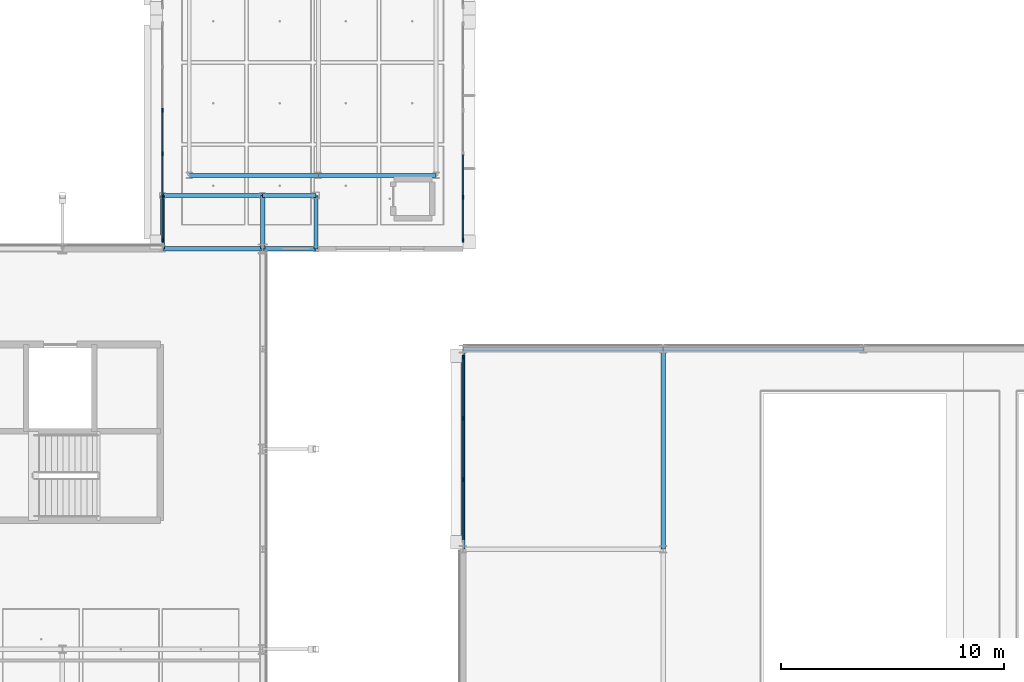
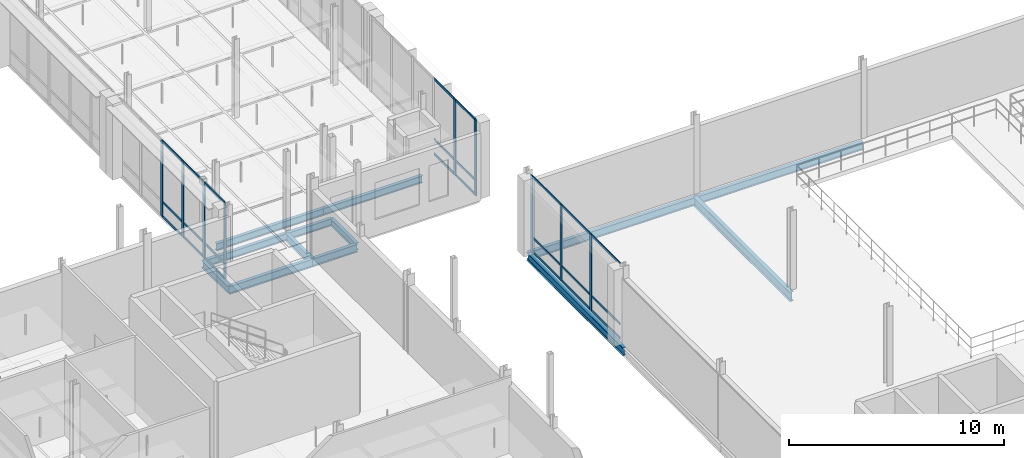
# One storey, part 29 of 130: 33 members, 13 beams, 3 elements without a shape of their own.
"""IFC4 building model written with IfcOpenShell, lengths in metres."""

from ifc_helpers import new_model, si_unit, direction, frame, origin, origin_2d, place, context, subcontext, project, spatial, rectangle, i_section, extrude, material, material_profile, profile_set, type_object, element, aggregate, save


model = new_model("IFC4")

# Units and contexts
model_context = context("Model", 3, precision=1e-05, world=origin(), true_north=direction((0.0, 1.0)))
body_context = subcontext(model_context, "Body", "Model", "MODEL_VIEW")
ifc_project = project(units=[si_unit("LENGTHUNIT", "METRE"), si_unit("AREAUNIT", "SQUARE_METRE"), si_unit("VOLUMEUNIT", "CUBIC_METRE"), si_unit("PLANEANGLEUNIT", "RADIAN"), si_unit("MASSUNIT", "GRAM", prefix="KILO"), si_unit("THERMODYNAMICTEMPERATUREUNIT", "KELVIN"), si_unit("POWERUNIT", "WATT")], contexts=[model_context])

# Site, building, storey
site_placement = place(None, origin())
site = spatial("IfcSite", under=ifc_project, at=site_placement, CompositionType="ELEMENT")
building_placement = place(site_placement, origin())
building = spatial("IfcBuilding", under=site, at=building_placement, Name="Tallowbark Science Centre", CompositionType="ELEMENT")
storey_placement = place(building_placement, frame((0.0, 0.0, 5.39990234375)))
storey = spatial("IfcBuildingStorey", under=building, at=storey_placement, Name="L01", CompositionType="ELEMENT", Elevation=5.39990234375)

# Beams
ifc_material_1 = material(Name="Structural Steel Grade 300PLUS (300 MPa)", Category="steel")
ifc_material_profile_1 = material_profile(ifc_material_1, i_section(OverallWidth=0.177734375, OverallDepth=0.406494140625, WebThickness=0.0078125, FlangeThickness=0.0126953125, FilletRadius=0.011474609375, at=origin_2d()), Name="410UB59.7")
ifc_profile_set_1 = profile_set([ifc_material_profile_1], Name="Structural Steel Grade 300PLUS (300 MPa)")
beam_type_1 = type_object("IfcBeamType", Name="BM-UB410", PredefinedType="BEAM", material=ifc_profile_set_1)
beam_1_placement = place(storey_placement, frame((99.0, 42.89990234375, -0.383056640625), z_axis=(1.0, 0.0, 0.0), x_axis=(0.0, 1.0, 0.0)))
element("IfcBeam", 1, at=beam_1_placement, inside=storey, type_object=beam_type_1, Name="Primary Girder GRDX-L01-990-1035-429", PredefinedType="BEAM", context=body_context, shape_type="SweptSolid", body=[
    extrude(i_section(OverallWidth=0.177734375, OverallDepth=0.406494140625, WebThickness=0.0078125, FlangeThickness=0.0126953125, FilletRadius=0.011474609375, at=origin_2d()), origin(), (0.0, 0.0, 1.0), 4.5),
])
beam_2_placement = place(storey_placement, frame((103.5, 42.89990234375, -0.383056640625), z_axis=(1.0, 0.0, 0.0), x_axis=(0.0, 1.0, 0.0)))
element("IfcBeam", 2, at=beam_2_placement, inside=storey, type_object=beam_type_1, Name="Primary Girder GRDX-L01-1035-1059-429", PredefinedType="BEAM", context=body_context, shape_type="SweptSolid", body=[
    extrude(i_section(OverallWidth=0.177734375, OverallDepth=0.406494140625, WebThickness=0.0078125, FlangeThickness=0.0126953125, FilletRadius=0.011474609375, at=origin_2d()), origin(), (0.0, 0.0, 1.0), 2.39990234375),
])
beam_3_placement = place(storey_placement, frame((100.199951171875, 43.800048828125, -0.383056640625), z_axis=(1.0, 0.0, 0.0), x_axis=(0.0, 1.0, 0.0)))
element("IfcBeam", 3, at=beam_3_placement, inside=storey, type_object=beam_type_1, Name="Primary Girder GRDX-L01-1002-1060-438", PredefinedType="BEAM", context=body_context, shape_type="SweptSolid", body=[
    extrude(i_section(OverallWidth=0.177734375, OverallDepth=0.406494140625, WebThickness=0.0078125, FlangeThickness=0.0126953125, FilletRadius=0.011474609375, at=origin_2d()), origin(), (0.0, 0.0, 1.0), 5.800048828125),
])
beam_4_placement = place(storey_placement, frame((106.0, 43.800048828125, -0.383056640625), z_axis=(1.0, 0.0, 0.0), x_axis=(0.0, 1.0, 0.0)))
element("IfcBeam", 4, at=beam_4_placement, inside=storey, type_object=beam_type_1, Name="Primary Girder GRDX-L01-1060-1113-438", PredefinedType="BEAM", context=body_context, shape_type="SweptSolid", body=[
    extrude(i_section(OverallWidth=0.177734375, OverallDepth=0.406494140625, WebThickness=0.0078125, FlangeThickness=0.0126953125, FilletRadius=0.011474609375, at=origin_2d()), origin(), (0.0, 0.0, 1.0), 5.300048828125),
])
for number, where, z_axis, x_axis, name in (
    (5, (99.0, 40.5, -0.383056640625), (0.0, 1.0, 0.0), (-1.0, 0.0, 0.0), "Primary Girder GRDY-L01-990-405-429"),
    (6, (105.89990234375, 40.5, -0.383056640625), (0.0, 1.0, 0.0), (-1.0, 0.0, 0.0), "Primary Girder GRDY-L01-1059-405-429"),
):
    element("IfcBeam", number, at=place(storey_placement, frame(where, z_axis=z_axis, x_axis=x_axis)), inside=storey, type_object=beam_type_1, Name=name, PredefinedType="BEAM", context=body_context, shape_type="SweptSolid", body=[
        extrude(i_section(OverallWidth=0.177734375, OverallDepth=0.406494140625, WebThickness=0.0078125, FlangeThickness=0.0126953125, FilletRadius=0.011474609375, at=origin_2d()), origin(), (0.0, 0.0, 1.0), 2.39990234375),
    ])
ifc_material_profile_2 = material_profile(ifc_material_1, i_section(OverallWidth=0.208740234375, OverallDepth=0.5283203125, WebThickness=0.009521484375, FlangeThickness=0.01318359375, FilletRadius=0.013916015625, at=origin_2d()), Name="530UB82.0")
ifc_profile_set_2 = profile_set([ifc_material_profile_2], Name="Structural Steel Grade 300PLUS (300 MPa)")
beam_type_2 = type_object("IfcBeamType", Name="BM-UB530B", PredefinedType="BEAM", material=ifc_profile_set_2)
beam_5_placement = place(storey_placement, frame((121.5, 27.0, -0.509033203125), z_axis=(0.0, 1.0, 0.0), x_axis=(-1.0, 0.0, 0.0)))
element("IfcBeam", 7, at=beam_5_placement, inside=storey, type_object=beam_type_2, Name="Primary Girder GRDY-L01-1215-270-360", PredefinedType="BEAM", context=body_context, shape_type="SweptSolid", body=[
    extrude(i_section(OverallWidth=0.208740234375, OverallDepth=0.5283203125, WebThickness=0.009521484375, FlangeThickness=0.01318359375, FilletRadius=0.013916015625, at=origin_2d()), origin(), (0.0, 0.0, 1.0), 9.0),
])

# Curtain wall, members
ifc_material_2 = material(Name="Unitised Thermally Broken Aluminium and Low-E Double Glazing", Category="aluminium")
curtain_wall_type = type_object("IfcCurtainWallType", Name="CW-SYS-FACADE", PredefinedType="NOTDEFINED", material=ifc_material_2)
curtain_wall_1_placement = place(storey_placement, origin())
curtain_wall_1 = element("IfcCurtainWall", 8, at=curtain_wall_1_placement, inside=storey, type_object=curtain_wall_type, Name="Unitised Curtain Wall THT-W-3 CW-L01-005", PredefinedType="NOTDEFINED")
ifc_material_3 = material(Name="Anodised Architectural Aluminium Alloy 6063-T6", Category="aluminium")
ifc_material_profile_3 = material_profile(ifc_material_3, rectangle(XDim=0.06494140625, YDim=0.179931640625, at=origin_2d()), Name="ALU65x180")
ifc_profile_set_3 = profile_set([ifc_material_profile_3], Name="Anodised Architectural Aluminium Alloy 6063-T6")
member_type_1 = type_object("IfcMemberType", Name="CWM-MUL-220", PredefinedType="MULLION", material=ifc_profile_set_3)
member_1_placement = place(storey_placement, frame((112.5, 35.617431640625, 0.0), z_axis=(0.0, 0.0, 1.0), x_axis=(1.0, 0.0, 0.0)))
member_1 = element("IfcMember", 9, at=member_1_placement, type_object=member_type_1, Name="CW-01 mullion 1", PredefinedType="MULLION", context=body_context, shape_type="SweptSolid", body=[
    extrude(rectangle(XDim=0.06494140625, YDim=0.179931640625, at=origin_2d()), origin(), (0.0, 0.0, 1.0), 4.320068359375),
])
member_2_placement = place(storey_placement, frame((112.5, 32.88330078125, 0.0), z_axis=(0.0, 0.0, 1.0), x_axis=(1.0, 0.0, 0.0)))
member_2 = element("IfcMember", 10, at=member_2_placement, type_object=member_type_1, Name="CW-01 mullion 2", PredefinedType="MULLION", context=body_context, shape_type="SweptSolid", body=[
    extrude(rectangle(XDim=0.06494140625, YDim=0.179931640625, at=origin_2d()), origin(), (0.0, 0.0, 1.0), 4.320068359375),
])
member_3_placement = place(storey_placement, frame((112.5, 30.11669921875, 0.0), z_axis=(0.0, 0.0, 1.0), x_axis=(1.0, 0.0, 0.0)))
member_3 = element("IfcMember", 11, at=member_3_placement, type_object=member_type_1, Name="CW-01 mullion 3", PredefinedType="MULLION", context=body_context, shape_type="SweptSolid", body=[
    extrude(rectangle(XDim=0.06494140625, YDim=0.179931640625, at=origin_2d()), origin(), (0.0, 0.0, 1.0), 4.320068359375),
])

curtain_wall_2_placement = place(storey_placement, origin())
curtain_wall_2 = element("IfcCurtainWall", 12, at=curtain_wall_2_placement, inside=storey, type_object=curtain_wall_type, Name="Unitised Curtain Wall LNK-W-0 CW-L01-010", PredefinedType="NOTDEFINED")
member_4_placement = place(storey_placement, frame((99.0, 46.72998046875, 0.0), z_axis=(0.0, 0.0, 1.0), x_axis=(1.0, 0.0, 0.0)))
member_4 = element("IfcMember", 13, at=member_4_placement, type_object=member_type_1, Name="CW-01 mullion 3", PredefinedType="MULLION", context=body_context, shape_type="SweptSolid", body=[
    extrude(rectangle(XDim=0.06494140625, YDim=0.179931640625, at=origin_2d()), origin(), (0.0, 0.0, 1.0), 4.320068359375),
])
member_5_placement = place(storey_placement, frame((99.0, 44.77001953125, 0.0), z_axis=(0.0, 0.0, 1.0), x_axis=(1.0, 0.0, 0.0)))
member_5 = element("IfcMember", 14, at=member_5_placement, type_object=member_type_1, Name="CW-01 mullion 4", PredefinedType="MULLION", context=body_context, shape_type="SweptSolid", body=[
    extrude(rectangle(XDim=0.06494140625, YDim=0.179931640625, at=origin_2d()), origin(), (0.0, 0.0, 1.0), 4.320068359375),
])
member_6_placement = place(storey_placement, frame((99.0, 42.81005859375, 0.0), z_axis=(0.0, 0.0, 1.0), x_axis=(1.0, 0.0, 0.0)))
member_6 = element("IfcMember", 15, at=member_6_placement, type_object=member_type_1, Name="CW-01 mullion 5", PredefinedType="MULLION", context=body_context, shape_type="SweptSolid", body=[
    extrude(rectangle(XDim=0.06494140625, YDim=0.179931640625, at=origin_2d()), origin(), (0.0, 0.0, 1.0), 4.320068359375),
])
member_7_placement = place(storey_placement, frame((99.0, 40.882568359375, 0.0), z_axis=(0.0, 0.0, 1.0), x_axis=(1.0, 0.0, 0.0)))
member_7 = element("IfcMember", 16, at=member_7_placement, type_object=member_type_1, Name="CW-01 mullion 6", PredefinedType="MULLION", context=body_context, shape_type="SweptSolid", body=[
    extrude(rectangle(XDim=0.06494140625, YDim=0.179931640625, at=origin_2d()), origin(), (0.0, 0.0, 1.0), 4.320068359375),
])

curtain_wall_3_placement = place(storey_placement, origin())
curtain_wall_3 = element("IfcCurtainWall", 17, at=curtain_wall_3_placement, inside=storey, type_object=curtain_wall_type, Name="Unitised Curtain Wall LNK-E-0 CW-L01-011", PredefinedType="NOTDEFINED")
member_8_placement = place(storey_placement, frame((112.5, 40.882568359375, 0.0), z_axis=(0.0, 0.0, 1.0), x_axis=(-1.0, 0.0, 0.0)))
member_8 = element("IfcMember", 18, at=member_8_placement, type_object=member_type_1, Name="CW-01 mullion 1", PredefinedType="MULLION", context=body_context, shape_type="SweptSolid", body=[
    extrude(rectangle(XDim=0.06494140625, YDim=0.179931640625, at=origin_2d()), origin(), (0.0, 0.0, 1.0), 4.320068359375),
])
member_9_placement = place(storey_placement, frame((112.5, 42.81005859375, 0.0), z_axis=(0.0, 0.0, 1.0), x_axis=(-1.0, 0.0, 0.0)))
member_9 = element("IfcMember", 19, at=member_9_placement, type_object=member_type_1, Name="CW-01 mullion 2", PredefinedType="MULLION", context=body_context, shape_type="SweptSolid", body=[
    extrude(rectangle(XDim=0.06494140625, YDim=0.179931640625, at=origin_2d()), origin(), (0.0, 0.0, 1.0), 4.320068359375),
])

# Member
ifc_material_profile_4 = material_profile(ifc_material_3, rectangle(XDim=0.054931640625, YDim=0.1201171875, at=origin_2d()), Name="ALU55x120")
ifc_profile_set_4 = profile_set([ifc_material_profile_4], Name="Anodised Architectural Aluminium Alloy 6063-T6")
member_type_2 = type_object("IfcMemberType", Name="CWM-TRN-150", PredefinedType="USERDEFINED", material=ifc_profile_set_4)
member_10_placement = place(storey_placement, frame((112.5, 35.5849609375, 0.027587890625), z_axis=(0.0, -1.0, 0.0), x_axis=(1.0, 0.0, 0.0)))
member_10 = element("IfcMember", 20, at=member_10_placement, type_object=member_type_2, Name="CW-01 transom 1.1", ObjectType="TRANSOM", PredefinedType="USERDEFINED", context=body_context, shape_type="SweptSolid", body=[
    extrude(rectangle(XDim=0.054931640625, YDim=0.1201171875, at=origin_2d()), origin(), (0.0, 0.0, 1.0), 2.669189453125),
])

member_11_placement = place(storey_placement, frame((112.5, 35.5849609375, 0.85009765625), z_axis=(0.0, -1.0, 0.0), x_axis=(1.0, 0.0, 0.0)))
member_11 = element("IfcMember", 21, at=member_11_placement, type_object=member_type_2, Name="CW-01 transom 1.2", ObjectType="TRANSOM", PredefinedType="USERDEFINED", context=body_context, shape_type="SweptSolid", body=[
    extrude(rectangle(XDim=0.054931640625, YDim=0.1201171875, at=origin_2d()), origin(), (0.0, 0.0, 1.0), 2.669189453125),
])

member_12_placement = place(storey_placement, frame((112.5, 35.5849609375, 4.29248046875), z_axis=(0.0, -1.0, 0.0), x_axis=(1.0, 0.0, 0.0)))
member_12 = element("IfcMember", 22, at=member_12_placement, type_object=member_type_2, Name="CW-01 transom 1.3", ObjectType="TRANSOM", PredefinedType="USERDEFINED", context=body_context, shape_type="SweptSolid", body=[
    extrude(rectangle(XDim=0.054931640625, YDim=0.1201171875, at=origin_2d()), origin(), (0.0, 0.0, 1.0), 2.669189453125),
])

member_13_placement = place(storey_placement, frame((112.5, 32.850830078125, 0.027587890625), z_axis=(0.0, -1.0, 0.0), x_axis=(1.0, 0.0, 0.0)))
member_13 = element("IfcMember", 23, at=member_13_placement, type_object=member_type_2, Name="CW-01 transom 2.1", ObjectType="TRANSOM", PredefinedType="USERDEFINED", context=body_context, shape_type="SweptSolid", body=[
    extrude(rectangle(XDim=0.054931640625, YDim=0.1201171875, at=origin_2d()), origin(), (0.0, 0.0, 1.0), 2.70166015625),
])

member_14_placement = place(storey_placement, frame((112.5, 32.850830078125, 0.85009765625), z_axis=(0.0, -1.0, 0.0), x_axis=(1.0, 0.0, 0.0)))
member_14 = element("IfcMember", 24, at=member_14_placement, type_object=member_type_2, Name="CW-01 transom 2.2", ObjectType="TRANSOM", PredefinedType="USERDEFINED", context=body_context, shape_type="SweptSolid", body=[
    extrude(rectangle(XDim=0.054931640625, YDim=0.1201171875, at=origin_2d()), origin(), (0.0, 0.0, 1.0), 2.70166015625),
])

member_15_placement = place(storey_placement, frame((112.5, 32.850830078125, 4.29248046875), z_axis=(0.0, -1.0, 0.0), x_axis=(1.0, 0.0, 0.0)))
member_15 = element("IfcMember", 25, at=member_15_placement, type_object=member_type_2, Name="CW-01 transom 2.3", ObjectType="TRANSOM", PredefinedType="USERDEFINED", context=body_context, shape_type="SweptSolid", body=[
    extrude(rectangle(XDim=0.054931640625, YDim=0.1201171875, at=origin_2d()), origin(), (0.0, 0.0, 1.0), 2.70166015625),
])

member_16_placement = place(storey_placement, frame((112.5, 30.084228515625, 0.027587890625), z_axis=(0.0, -1.0, 0.0), x_axis=(1.0, 0.0, 0.0)))
member_16 = element("IfcMember", 26, at=member_16_placement, type_object=member_type_2, Name="CW-01 transom 3.1", ObjectType="TRANSOM", PredefinedType="USERDEFINED", context=body_context, shape_type="SweptSolid", body=[
    extrude(rectangle(XDim=0.054931640625, YDim=0.1201171875, at=origin_2d()), origin(), (0.0, 0.0, 1.0), 2.669189453125),
])

member_17_placement = place(storey_placement, frame((112.5, 30.084228515625, 0.85009765625), z_axis=(0.0, -1.0, 0.0), x_axis=(1.0, 0.0, 0.0)))
member_17 = element("IfcMember", 27, at=member_17_placement, type_object=member_type_2, Name="CW-01 transom 3.2", ObjectType="TRANSOM", PredefinedType="USERDEFINED", context=body_context, shape_type="SweptSolid", body=[
    extrude(rectangle(XDim=0.054931640625, YDim=0.1201171875, at=origin_2d()), origin(), (0.0, 0.0, 1.0), 2.669189453125),
])

member_18_placement = place(storey_placement, frame((112.5, 30.084228515625, 4.29248046875), z_axis=(0.0, -1.0, 0.0), x_axis=(1.0, 0.0, 0.0)))
member_18 = element("IfcMember", 28, at=member_18_placement, type_object=member_type_2, Name="CW-01 transom 3.3", ObjectType="TRANSOM", PredefinedType="USERDEFINED", context=body_context, shape_type="SweptSolid", body=[
    extrude(rectangle(XDim=0.054931640625, YDim=0.1201171875, at=origin_2d()), origin(), (0.0, 0.0, 1.0), 2.669189453125),
])

aggregate(curtain_wall_1, [member_1, member_2, member_3, member_10, member_11, member_12, member_13, member_14, member_15, member_16, member_17, member_18])

member_19_placement = place(storey_placement, frame((99.0, 46.697509765625, 0.027587890625), z_axis=(0.0, -1.0, 0.0), x_axis=(1.0, 0.0, 0.0)))
member_19 = element("IfcMember", 29, at=member_19_placement, type_object=member_type_2, Name="CW-01 transom 3.1", ObjectType="TRANSOM", PredefinedType="USERDEFINED", context=body_context, shape_type="SweptSolid", body=[
    extrude(rectangle(XDim=0.054931640625, YDim=0.1201171875, at=origin_2d()), origin(), (0.0, 0.0, 1.0), 1.89501953125),
])

member_20_placement = place(storey_placement, frame((99.0, 46.697509765625, 0.85009765625), z_axis=(0.0, -1.0, 0.0), x_axis=(1.0, 0.0, 0.0)))
member_20 = element("IfcMember", 30, at=member_20_placement, type_object=member_type_2, Name="CW-01 transom 3.2", ObjectType="TRANSOM", PredefinedType="USERDEFINED", context=body_context, shape_type="SweptSolid", body=[
    extrude(rectangle(XDim=0.054931640625, YDim=0.1201171875, at=origin_2d()), origin(), (0.0, 0.0, 1.0), 1.89501953125),
])

member_21_placement = place(storey_placement, frame((99.0, 46.697509765625, 4.29248046875), z_axis=(0.0, -1.0, 0.0), x_axis=(1.0, 0.0, 0.0)))
member_21 = element("IfcMember", 31, at=member_21_placement, type_object=member_type_2, Name="CW-01 transom 3.3", ObjectType="TRANSOM", PredefinedType="USERDEFINED", context=body_context, shape_type="SweptSolid", body=[
    extrude(rectangle(XDim=0.054931640625, YDim=0.1201171875, at=origin_2d()), origin(), (0.0, 0.0, 1.0), 1.89501953125),
])

member_22_placement = place(storey_placement, frame((99.0, 44.737548828125, 0.027587890625), z_axis=(0.0, -1.0, 0.0), x_axis=(1.0, 0.0, 0.0)))
member_22 = element("IfcMember", 32, at=member_22_placement, type_object=member_type_2, Name="CW-01 transom 4.1", ObjectType="TRANSOM", PredefinedType="USERDEFINED", context=body_context, shape_type="SweptSolid", body=[
    extrude(rectangle(XDim=0.054931640625, YDim=0.1201171875, at=origin_2d()), origin(), (0.0, 0.0, 1.0), 1.89501953125),
])

member_23_placement = place(storey_placement, frame((99.0, 44.737548828125, 0.85009765625), z_axis=(0.0, -1.0, 0.0), x_axis=(1.0, 0.0, 0.0)))
member_23 = element("IfcMember", 33, at=member_23_placement, type_object=member_type_2, Name="CW-01 transom 4.2", ObjectType="TRANSOM", PredefinedType="USERDEFINED", context=body_context, shape_type="SweptSolid", body=[
    extrude(rectangle(XDim=0.054931640625, YDim=0.1201171875, at=origin_2d()), origin(), (0.0, 0.0, 1.0), 1.89501953125),
])

member_24_placement = place(storey_placement, frame((99.0, 44.737548828125, 4.29248046875), z_axis=(0.0, -1.0, 0.0), x_axis=(1.0, 0.0, 0.0)))
member_24 = element("IfcMember", 34, at=member_24_placement, type_object=member_type_2, Name="CW-01 transom 4.3", ObjectType="TRANSOM", PredefinedType="USERDEFINED", context=body_context, shape_type="SweptSolid", body=[
    extrude(rectangle(XDim=0.054931640625, YDim=0.1201171875, at=origin_2d()), origin(), (0.0, 0.0, 1.0), 1.89501953125),
])

member_25_placement = place(storey_placement, frame((99.0, 42.777587890625, 0.027587890625), z_axis=(0.0, -1.0, 0.0), x_axis=(1.0, 0.0, 0.0)))
member_25 = element("IfcMember", 35, at=member_25_placement, type_object=member_type_2, Name="CW-01 transom 5.1", ObjectType="TRANSOM", PredefinedType="USERDEFINED", context=body_context, shape_type="SweptSolid", body=[
    extrude(rectangle(XDim=0.054931640625, YDim=0.1201171875, at=origin_2d()), origin(), (0.0, 0.0, 1.0), 1.862548828125),
])

member_26_placement = place(storey_placement, frame((99.0, 42.777587890625, 0.85009765625), z_axis=(0.0, -1.0, 0.0), x_axis=(1.0, 0.0, 0.0)))
member_26 = element("IfcMember", 36, at=member_26_placement, type_object=member_type_2, Name="CW-01 transom 5.2", ObjectType="TRANSOM", PredefinedType="USERDEFINED", context=body_context, shape_type="SweptSolid", body=[
    extrude(rectangle(XDim=0.054931640625, YDim=0.1201171875, at=origin_2d()), origin(), (0.0, 0.0, 1.0), 1.862548828125),
])

member_27_placement = place(storey_placement, frame((99.0, 42.777587890625, 4.29248046875), z_axis=(0.0, -1.0, 0.0), x_axis=(1.0, 0.0, 0.0)))
member_27 = element("IfcMember", 37, at=member_27_placement, type_object=member_type_2, Name="CW-01 transom 5.3", ObjectType="TRANSOM", PredefinedType="USERDEFINED", context=body_context, shape_type="SweptSolid", body=[
    extrude(rectangle(XDim=0.054931640625, YDim=0.1201171875, at=origin_2d()), origin(), (0.0, 0.0, 1.0), 1.862548828125),
])

aggregate(curtain_wall_2, [member_4, member_5, member_6, member_7, member_19, member_20, member_21, member_22, member_23, member_24, member_25, member_26, member_27])

member_28_placement = place(storey_placement, frame((112.5, 40.9150390625, 0.027587890625), z_axis=(0.0, 1.0, 0.0), x_axis=(-1.0, 0.0, 0.0)))
member_28 = element("IfcMember", 38, at=member_28_placement, type_object=member_type_2, Name="CW-01 transom 1.1", ObjectType="TRANSOM", PredefinedType="USERDEFINED", context=body_context, shape_type="SweptSolid", body=[
    extrude(rectangle(XDim=0.054931640625, YDim=0.1201171875, at=origin_2d()), origin(), (0.0, 0.0, 1.0), 1.862548828125),
])

member_29_placement = place(storey_placement, frame((112.5, 40.9150390625, 0.85009765625), z_axis=(0.0, 1.0, 0.0), x_axis=(-1.0, 0.0, 0.0)))
member_29 = element("IfcMember", 39, at=member_29_placement, type_object=member_type_2, Name="CW-01 transom 1.2", ObjectType="TRANSOM", PredefinedType="USERDEFINED", context=body_context, shape_type="SweptSolid", body=[
    extrude(rectangle(XDim=0.054931640625, YDim=0.1201171875, at=origin_2d()), origin(), (0.0, 0.0, 1.0), 1.862548828125),
])

member_30_placement = place(storey_placement, frame((112.5, 40.9150390625, 4.29248046875), z_axis=(0.0, 1.0, 0.0), x_axis=(-1.0, 0.0, 0.0)))
member_30 = element("IfcMember", 40, at=member_30_placement, type_object=member_type_2, Name="CW-01 transom 1.3", ObjectType="TRANSOM", PredefinedType="USERDEFINED", context=body_context, shape_type="SweptSolid", body=[
    extrude(rectangle(XDim=0.054931640625, YDim=0.1201171875, at=origin_2d()), origin(), (0.0, 0.0, 1.0), 1.862548828125),
])

member_31_placement = place(storey_placement, frame((112.5, 42.842529296875, 0.027587890625), z_axis=(0.0, 1.0, 0.0), x_axis=(-1.0, 0.0, 0.0)))
member_31 = element("IfcMember", 41, at=member_31_placement, type_object=member_type_2, Name="CW-01 transom 2.1", ObjectType="TRANSOM", PredefinedType="USERDEFINED", context=body_context, shape_type="SweptSolid", body=[
    extrude(rectangle(XDim=0.054931640625, YDim=0.1201171875, at=origin_2d()), origin(), (0.0, 0.0, 1.0), 1.89501953125),
])

member_32_placement = place(storey_placement, frame((112.5, 42.842529296875, 0.85009765625), z_axis=(0.0, 1.0, 0.0), x_axis=(-1.0, 0.0, 0.0)))
member_32 = element("IfcMember", 42, at=member_32_placement, type_object=member_type_2, Name="CW-01 transom 2.2", ObjectType="TRANSOM", PredefinedType="USERDEFINED", context=body_context, shape_type="SweptSolid", body=[
    extrude(rectangle(XDim=0.054931640625, YDim=0.1201171875, at=origin_2d()), origin(), (0.0, 0.0, 1.0), 1.89501953125),
])

member_33_placement = place(storey_placement, frame((112.5, 42.842529296875, 4.29248046875), z_axis=(0.0, 1.0, 0.0), x_axis=(-1.0, 0.0, 0.0)))
member_33 = element("IfcMember", 43, at=member_33_placement, type_object=member_type_2, Name="CW-01 transom 2.3", ObjectType="TRANSOM", PredefinedType="USERDEFINED", context=body_context, shape_type="SweptSolid", body=[
    extrude(rectangle(XDim=0.054931640625, YDim=0.1201171875, at=origin_2d()), origin(), (0.0, 0.0, 1.0), 1.89501953125),
])

aggregate(curtain_wall_3, [member_8, member_9, member_28, member_29, member_30, member_31, member_32, member_33])

# Beams
ifc_material_profile_5 = material_profile(ifc_material_1, i_section(OverallWidth=0.18994140625, OverallDepth=0.453857421875, WebThickness=0.008544921875, FlangeThickness=0.0126953125, FilletRadius=0.011474609375, at=origin_2d()), Name="460UB67.1")
ifc_profile_set_5 = profile_set([ifc_material_profile_5], Name="Structural Steel Grade 300PLUS (300 MPa)")
beam_type_3 = type_object("IfcBeamType", Name="SPN-UB460", PredefinedType="SPANDREL", material=ifc_profile_set_5)
for number, where, z_axis, x_axis, name in (
    (44, (112.5, 36.0, -0.471923828125), (1.0, 0.0, 0.0), (0.0, 1.0, 0.0), "Primary Girder GRDX-L01-1125-1215-360"),
    (45, (121.5, 36.0, -0.471923828125), (1.0, 0.0, 0.0), (0.0, 1.0, 0.0), "Primary Girder GRDX-L01-1215-1305-360"),
):
    element("IfcBeam", number, at=place(storey_placement, frame(where, z_axis=z_axis, x_axis=x_axis)), inside=storey, type_object=beam_type_3, Name=name, PredefinedType="SPANDREL", context=body_context, shape_type="SweptSolid", body=[
        extrude(i_section(OverallWidth=0.18994140625, OverallDepth=0.453857421875, WebThickness=0.008544921875, FlangeThickness=0.0126953125, FilletRadius=0.011474609375, at=origin_2d()), origin(), (0.0, 0.0, 1.0), 9.0),
    ])
beam_6_placement = place(storey_placement, frame((99.0, 40.5, -0.40673828125), z_axis=(1.0, 0.0, 0.0), x_axis=(0.0, 1.0, 0.0)))
element("IfcBeam", 46, at=beam_6_placement, inside=storey, type_object=beam_type_3, Name="Primary Girder GRDX-L01-990-1035-405", PredefinedType="SPANDREL", context=body_context, shape_type="SweptSolid", body=[
    extrude(i_section(OverallWidth=0.18994140625, OverallDepth=0.453857421875, WebThickness=0.008544921875, FlangeThickness=0.0126953125, FilletRadius=0.011474609375, at=origin_2d()), origin(), (0.0, 0.0, 1.0), 4.5),
])
for number, where, z_axis, x_axis, name in (
    (47, (103.5, 40.5, -0.40673828125), (1.0, 0.0, 0.0), (0.0, 1.0, 0.0), "Primary Girder GRDX-L01-1035-1059-405"),
    (48, (103.5, 40.5, -0.40673828125), (0.0, 1.0, 0.0), (-1.0, 0.0, 0.0), "Primary Girder GRDY-L01-1035-405-429"),
):
    element("IfcBeam", number, at=place(storey_placement, frame(where, z_axis=z_axis, x_axis=x_axis)), inside=storey, type_object=beam_type_3, Name=name, PredefinedType="SPANDREL", context=body_context, shape_type="SweptSolid", body=[
        extrude(i_section(OverallWidth=0.18994140625, OverallDepth=0.453857421875, WebThickness=0.008544921875, FlangeThickness=0.0126953125, FilletRadius=0.011474609375, at=origin_2d()), origin(), (0.0, 0.0, 1.0), 2.39990234375),
    ])
beam_7_placement = place(storey_placement, frame((112.5, 27.0, -0.471923828125), z_axis=(0.0, 1.0, 0.0), x_axis=(-1.0, 0.0, 0.0)))
element("IfcBeam", 49, at=beam_7_placement, inside=storey, type_object=beam_type_3, Name="Primary Girder GRDY-L01-1125-270-360", PredefinedType="SPANDREL", context=body_context, shape_type="SweptSolid", body=[
    extrude(i_section(OverallWidth=0.18994140625, OverallDepth=0.453857421875, WebThickness=0.008544921875, FlangeThickness=0.0126953125, FilletRadius=0.011474609375, at=origin_2d()), origin(), (0.0, 0.0, 1.0), 9.0),
])

save(model, "model.ifc")
